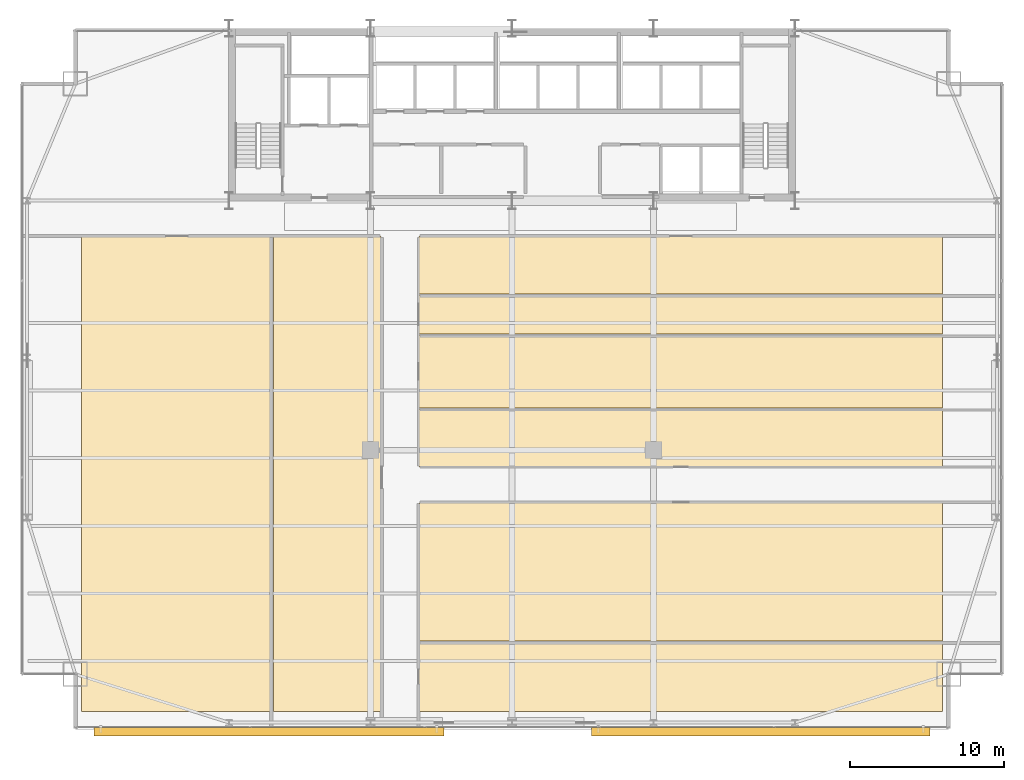
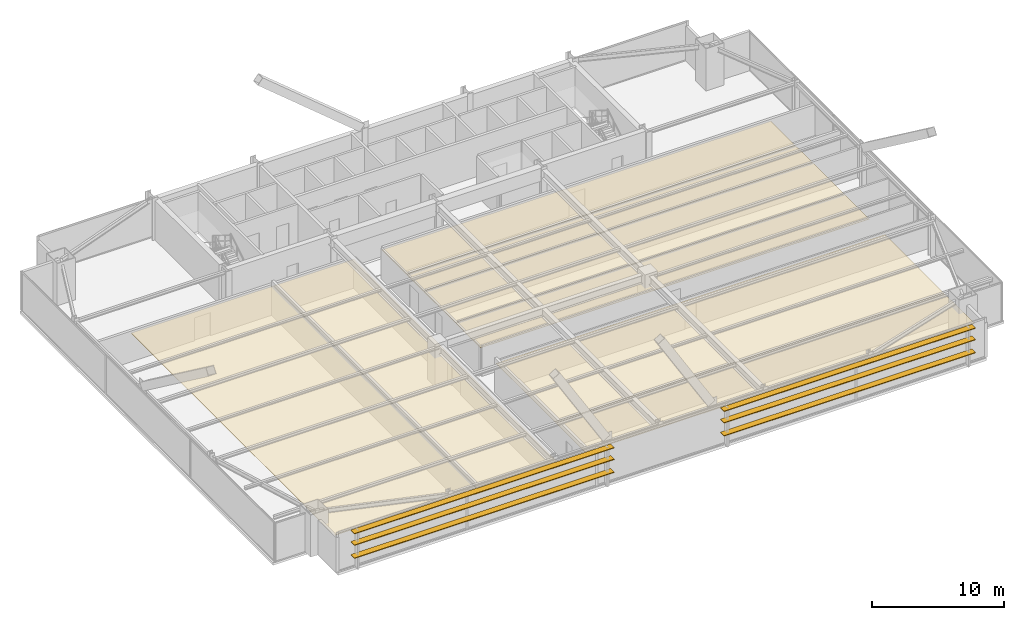
# One storey, part 34 of 35: 8 coverings, 6 shading devices.
"""IFC4 building model written with IfcOpenShell, lengths in metres."""

from ifc_helpers import new_model, si_unit, direction, frame, origin, origin_2d, place, context, subcontext, project, spatial, polyline, rectangle, outline, extrude, source, transform, mapped, material, layer, layer_set, type_object, type_shapes, element, save


model = new_model("IFC4")

# Units and contexts
model_context = context("Model", 3, precision=1e-05, world=origin(), true_north=direction((0.0, 1.0)))
body_context = subcontext(model_context, "Body", "Model", "MODEL_VIEW")
ifc_project = project(units=[si_unit("LENGTHUNIT", "METRE"), si_unit("AREAUNIT", "SQUARE_METRE"), si_unit("VOLUMEUNIT", "CUBIC_METRE"), si_unit("PLANEANGLEUNIT", "RADIAN"), si_unit("MASSUNIT", "GRAM", prefix="KILO")], contexts=[model_context])

# Site, building, storey
site_placement = place(None, origin())
site = spatial("IfcSite", under=ifc_project, at=site_placement, CompositionType="ELEMENT")
building_placement = place(site_placement, origin())
building = spatial("IfcBuilding", under=site, at=building_placement, Name="Varnel Quay Broadcast Tower", CompositionType="ELEMENT")
storey_placement = place(building_placement, frame((0.0, 0.0, 31.5)))
storey = spatial("IfcBuildingStorey", under=building, at=storey_placement, Name="L06", CompositionType="ELEMENT", Elevation=31.5)

# Coverings
ifc_material_1 = material(Name="Micro-Perforated Acoustic Ceiling Tile")
ifc_layer_1 = layer(ifc_material_1, 0.0400390625, Name="Micro-Perforated Acoustic Ceiling Tile")
ifc_layer_set_1 = layer_set([ifc_layer_1], Name="Micro-Perforated Acoustic Ceiling Tile")
covering_type = type_object("IfcCoveringType", Name="Cov_AcousticCeiling", PredefinedType="CEILING", material=ifc_layer_set_1)
covering_1_placement = place(storey_placement, frame((0.0, 0.0, 2.580078125)))
element("IfcCovering", 1, at=covering_1_placement, inside=storey, type_object=covering_type, Name="L06 Foley Sound Studio 1 Acoustic Ceiling", PredefinedType="CEILING", context=body_context, shape_type="SweptSolid", body=[
    extrude(outline(polyline([(5.985107421875, 2.375), (18.4150390625, 2.375), (18.4150390625, 33.264892578125), (5.985107421875, 33.264892578125), (5.985107421875, 2.375)])), origin(), (0.0, 0.0, 1.0), 0.0400390625),
])
covering_2_placement = place(storey_placement, frame((0.0, 0.0, 2.580078125)))
element("IfcCovering", 2, at=covering_2_placement, inside=storey, type_object=covering_type, Name="L06 Voice Booth 2 Acoustic Ceiling", PredefinedType="CEILING", context=body_context, shape_type="SweptSolid", body=[
    extrude(outline(polyline([(18.485107421875, 2.375), (25.485107421875, 2.375), (25.485107421875, 33.264892578125), (18.485107421875, 33.264892578125), (18.485107421875, 2.375)])), origin(), (0.0, 0.0, 1.0), 0.0400390625),
])
covering_3_placement = place(storey_placement, frame((0.0, 0.0, 2.580078125)))
element("IfcCovering", 3, at=covering_3_placement, inside=storey, type_object=covering_type, Name="L06 Audio Control Room 3 Acoustic Ceiling", PredefinedType="CEILING", context=body_context, shape_type="SweptSolid", body=[
    extrude(outline(polyline([(27.955078125, 2.375), (62.014892578125, 2.375), (62.014892578125, 6.89501953125), (27.955078125, 6.89501953125), (27.955078125, 2.375)])), origin(), (0.0, 0.0, 1.0), 0.0400390625),
])
covering_4_placement = place(storey_placement, frame((0.0, 0.0, 2.580078125)))
element("IfcCovering", 4, at=covering_4_placement, inside=storey, type_object=covering_type, Name="L06 Talent Lounge 4 Acoustic Ceiling", PredefinedType="CEILING", context=body_context, shape_type="SweptSolid", body=[
    extrude(outline(polyline([(27.955078125, 6.965087890625), (62.014892578125, 6.965087890625), (62.014892578125, 15.945068359375), (27.955078125, 15.945068359375), (27.955078125, 6.965087890625)])), origin(), (0.0, 0.0, 1.0), 0.0400390625),
])
covering_5_placement = place(storey_placement, frame((0.0, 0.0, 2.580078125)))
element("IfcCovering", 5, at=covering_5_placement, inside=storey, type_object=covering_type, Name="L06 Pantry Niche 5 Acoustic Ceiling", PredefinedType="CEILING", context=body_context, shape_type="SweptSolid", body=[
    extrude(outline(polyline([(27.955078125, 18.31494140625), (62.014892578125, 18.31494140625), (62.014892578125, 22.054931640625), (27.955078125, 22.054931640625), (27.955078125, 18.31494140625)])), origin(), (0.0, 0.0, 1.0), 0.0400390625),
])
covering_6_placement = place(storey_placement, frame((0.0, 0.0, 2.580078125)))
element("IfcCovering", 6, at=covering_6_placement, inside=storey, type_object=covering_type, Name="L06 Broadcast Seminar Room 6 Acoustic Ceiling", PredefinedType="CEILING", context=body_context, shape_type="SweptSolid", body=[
    extrude(outline(polyline([(27.955078125, 22.125), (62.014892578125, 22.125), (62.014892578125, 26.85498046875), (27.955078125, 26.85498046875), (27.955078125, 22.125)])), origin(), (0.0, 0.0, 1.0), 0.0400390625),
])
covering_7_placement = place(storey_placement, frame((0.0, 0.0, 2.580078125)))
element("IfcCovering", 7, at=covering_7_placement, inside=storey, type_object=covering_type, Name="L06 Podcast Recording Studio 7 Acoustic Ceiling", PredefinedType="CEILING", context=body_context, shape_type="SweptSolid", body=[
    extrude(outline(polyline([(27.955078125, 26.925048828125), (62.014892578125, 26.925048828125), (62.014892578125, 29.465087890625), (27.955078125, 29.465087890625), (27.955078125, 26.925048828125)])), origin(), (0.0, 0.0, 1.0), 0.0400390625),
])
covering_8_placement = place(storey_placement, frame((0.0, 0.0, 2.580078125)))
element("IfcCovering", 8, at=covering_8_placement, inside=storey, type_object=covering_type, Name="L06 Foley Sound Studio 8 Acoustic Ceiling", PredefinedType="CEILING", context=body_context, shape_type="SweptSolid", body=[
    extrude(outline(polyline([(27.955078125, 29.534912109375), (62.014892578125, 29.534912109375), (62.014892578125, 33.264892578125), (27.955078125, 33.264892578125), (27.955078125, 29.534912109375)])), origin(), (0.0, 0.0, 1.0), 0.0400390625),
])

# Shading devices
ifc_material_2 = material(Name="Bronze-Terracotta Extruded Ceramic Blade", Category="masonry")
ifc_layer_2 = layer(ifc_material_2, 0.06494140625, Name="Bronze-Terracotta Extruded Ceramic Blade")
ifc_layer_set_2 = layer_set([ifc_layer_2], Name="Bronze-Terracotta Extruded Ceramic Blade")
shading_device_type = type_object("IfcShadingDeviceType", Name="Shade_LouvreBlade550", PredefinedType="JALOUSIE", material=ifc_layer_set_2)
shared_shape_1 = source(origin(), body_context, "Body", "SweptSolid", [
    extrude(rectangle(XDim=22.76611328125, YDim=0.550048828125, at=origin_2d()), origin(), (0.0, 0.0, 1.0), 0.06494140625),
])
for number, where, z_axis, x_axis, name in (
    (9, (18.18310546875, 1.06005859375, 1.117431640625), (0.0, 0.0, 1.0), (1.0, 0.0, 0.0), "L06 Lobe 1 Horizontal Louvre Blade 1"),
    (10, (18.18310546875, 1.06005859375, 2.317626953125), (0.0, 0.0, 1.0), (1.0, 0.0, 0.0), "L06 Lobe 1 Horizontal Louvre Blade 2"),
    (11, (18.18310546875, 1.06005859375, 3.387451171875), (0.0, 0.0, 1.0), (1.0, 0.0, 0.0), "L06 Lobe 1 Horizontal Louvre Blade 3"),
):
    element("IfcShadingDevice", number, at=place(storey_placement, frame(where, z_axis=z_axis, x_axis=x_axis)), inside=storey, type_object=shading_device_type, Name=name, PredefinedType="JALOUSIE", context=body_context, shape_type="MappedRepresentation", body=[
        mapped(shared_shape_1, transform((0.0, 0.0, 0.0), x_axis=(1.0, 0.0, 0.0), y_axis=(0.0, 1.0, 0.0), z_axis=(0.0, 0.0, 1.0), scale=1.0)),
    ])
shared_shape_2 = source(origin(), body_context, "Body", "SweptSolid", [
    extrude(rectangle(XDim=22.033935546875, YDim=0.550048828125, at=origin_2d()), origin(), (0.0, 0.0, 1.0), 0.06494140625),
])
type_shapes(shading_device_type, [shared_shape_1, shared_shape_2])
for number, where, z_axis, x_axis, name in (
    (12, (50.18310546875, 1.06005859375, 1.117431640625), (0.0, 0.0, 1.0), (1.0, 0.0, 0.0), "L06 Lobe 2 Horizontal Louvre Blade 1"),
    (13, (50.18310546875, 1.06005859375, 2.317626953125), (0.0, 0.0, 1.0), (1.0, 0.0, 0.0), "L06 Lobe 2 Horizontal Louvre Blade 2"),
    (14, (50.18310546875, 1.06005859375, 3.387451171875), (0.0, 0.0, 1.0), (1.0, 0.0, 0.0), "L06 Lobe 2 Horizontal Louvre Blade 3"),
):
    element("IfcShadingDevice", number, at=place(storey_placement, frame(where, z_axis=z_axis, x_axis=x_axis)), inside=storey, type_object=shading_device_type, Name=name, PredefinedType="JALOUSIE", context=body_context, shape_type="MappedRepresentation", body=[
        mapped(shared_shape_2, transform((0.0, 0.0, 0.0), x_axis=(1.0, 0.0, 0.0), y_axis=(0.0, 1.0, 0.0), z_axis=(0.0, 0.0, 1.0), scale=1.0)),
    ])

save(model, "model.ifc")
